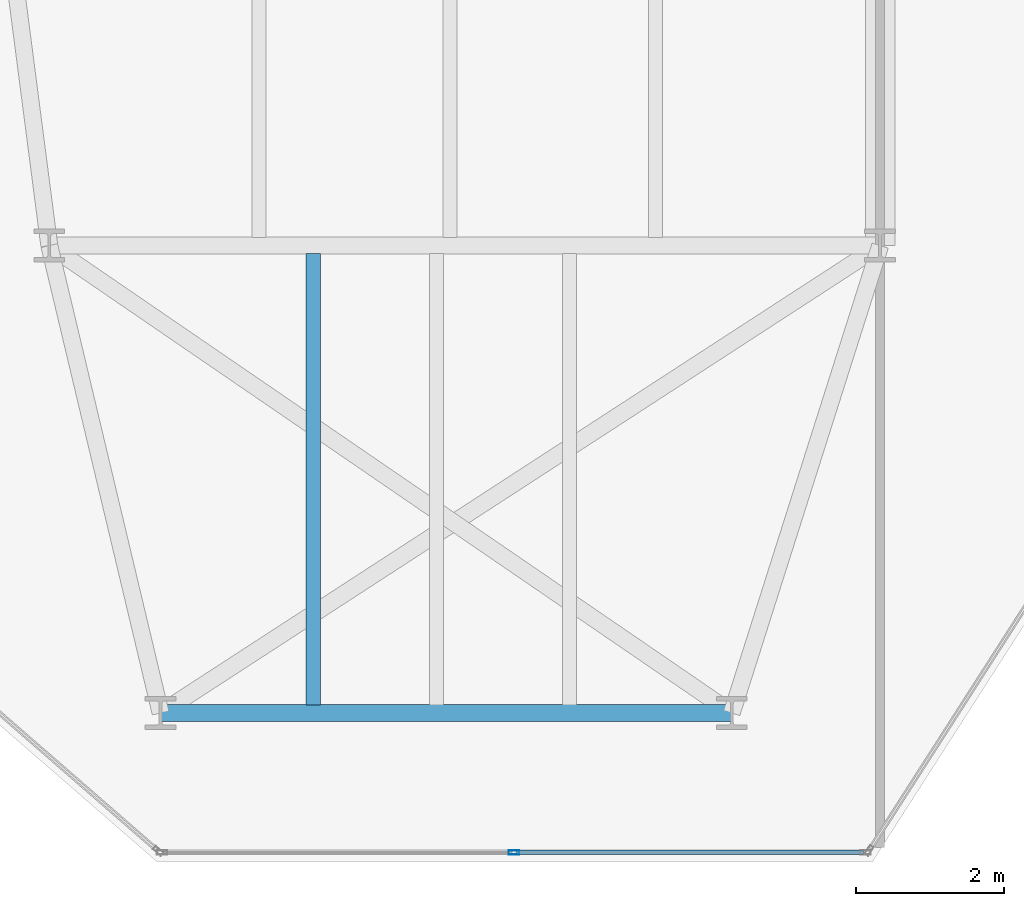
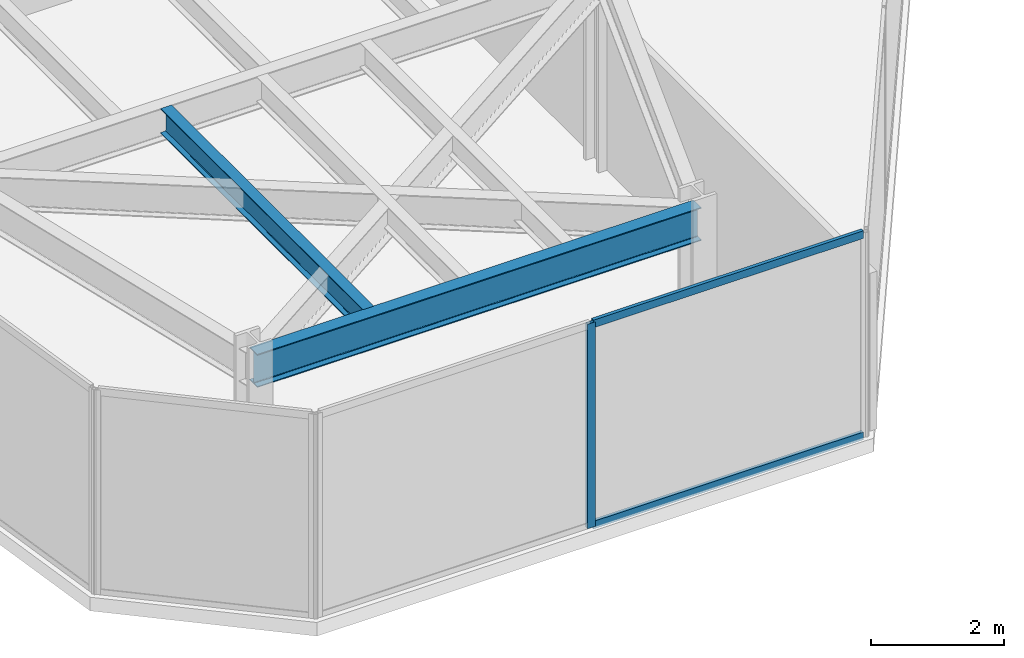
# One storey, part 3 of 26: 3 members, 2 beams, 1 element without a shape of its own.
"""IFC4 building model written with IfcOpenShell, lengths in metres."""

from ifc_helpers import new_model, si_unit, direction, frame, origin, origin_2d, place, context, subcontext, project, spatial, hollow_rectangle, i_section, extrude, material, layer, layer_set, material_profile, profile_set, type_object, element, aggregate, save


model = new_model("IFC4")

# Units and contexts
model_context = context("Model", 3, precision=1e-05, world=origin(), true_north=direction((0.0, 1.0)))
body_context = subcontext(model_context, "Body", "Model", "MODEL_VIEW")
ifc_project = project(units=[si_unit("LENGTHUNIT", "METRE"), si_unit("AREAUNIT", "SQUARE_METRE"), si_unit("VOLUMEUNIT", "CUBIC_METRE"), si_unit("PLANEANGLEUNIT", "RADIAN"), si_unit("MASSUNIT", "GRAM", prefix="KILO")], contexts=[model_context])

# Site, building, storey
site_placement = place(None, origin())
site = spatial("IfcSite", under=ifc_project, at=site_placement, CompositionType="ELEMENT")
building_placement = place(site_placement, origin())
building = spatial("IfcBuilding", under=site, at=building_placement, Name="Kravanh Interchange Tower", CompositionType="ELEMENT")
storey_placement = place(building_placement, frame((0.0, 0.0, 148.0)))
storey = spatial("IfcBuildingStorey", under=building, at=storey_placement, Name="L35", CompositionType="ELEMENT", Elevation=148.0)

# Curtain wall, members
ifc_material_1 = material(Name="Anodised Bronze Aluminium", Category="aluminium")
ifc_layer = layer(ifc_material_1, 0.179931640625)
ifc_layer_set = layer_set([ifc_layer], Name="Unitised Curtain Wall System CW-Z2 Mid Office")
curtain_wall_type = type_object("IfcCurtainWallType", Name="Unitised Curtain Wall System CW-Z2 Mid Office", PredefinedType="NOTDEFINED", material=ifc_layer_set)
curtain_wall_placement = place(storey_placement, origin())
curtain_wall = element("IfcCurtainWall", 1, at=curtain_wall_placement, inside=storey, type_object=curtain_wall_type, Name="L35 Unitised Curtain Wall CW-L35-06", PredefinedType="NOTDEFINED")
ifc_material_2 = material(Name="Anodised Bronze Aluminium", Category="aluminium")
ifc_material_profile_1 = material_profile(ifc_material_2, hollow_rectangle(XDim=0.06005859375, YDim=0.139892578125, WallThickness=0.00390625, at=origin_2d()), Name="ALU60X140X4")
ifc_profile_set_1 = profile_set([ifc_material_profile_1], Name="Anodised Bronze Aluminium")
member_type_1 = type_object("IfcMemberType", Name="Curtain Wall Mullion ALU60X140X4 Bronze", PredefinedType="MULLION", material=ifc_profile_set_1)
member_1_placement = place(storey_placement, frame((22.26220703125, 6.320068359375, 0.0), z_axis=(0.0, 0.0, 1.0), x_axis=(0.0, -1.0, 0.0)))
member_1 = element("IfcMember", 2, at=member_1_placement, type_object=member_type_1, Name="CW-Z2 mullion 2", PredefinedType="MULLION", context=body_context, shape_type="SweptSolid", body=[
    extrude(hollow_rectangle(XDim=0.06005859375, YDim=0.139892578125, WallThickness=0.00390625, at=origin_2d()), origin(), (0.0, 0.0, 1.0), 3.75),
])
ifc_material_3 = material(Name="Anodised Bronze Aluminium", Category="aluminium")
ifc_material_profile_2 = material_profile(ifc_material_3, hollow_rectangle(XDim=0.06005859375, YDim=0.139892578125, WallThickness=0.00390625, at=origin_2d()), Name="ALU60X140X4")
ifc_profile_set_2 = profile_set([ifc_material_profile_2], Name="Anodised Bronze Aluminium")
member_type_2 = type_object("IfcMemberType", Name="Curtain Wall Transom ALU60X140X4 Bronze", PredefinedType="USERDEFINED", material=ifc_profile_set_2)
member_2_placement = place(storey_placement, frame((26.974365234375, 6.320068359375, 0.030029296875), z_axis=(-1.0, 0.0, 0.0), x_axis=(0.0, -1.0, 0.0)))
member_2 = element("IfcMember", 3, at=member_2_placement, type_object=member_type_2, Name="CW-Z2 transom 1.1", ObjectType="TRANSOM", PredefinedType="USERDEFINED", context=body_context, shape_type="SweptSolid", body=[
    extrude(hollow_rectangle(XDim=0.06005859375, YDim=0.139892578125, WallThickness=0.00390625, at=origin_2d()), origin(), (0.0, 0.0, 1.0), 4.682373046875),
])
member_3_placement = place(storey_placement, frame((26.974365234375, 6.320068359375, 3.719970703125), z_axis=(-1.0, 0.0, 0.0), x_axis=(0.0, -1.0, 0.0)))
member_3 = element("IfcMember", 4, at=member_3_placement, type_object=member_type_2, Name="CW-Z2 transom 1.2", ObjectType="TRANSOM", PredefinedType="USERDEFINED", context=body_context, shape_type="SweptSolid", body=[
    extrude(hollow_rectangle(XDim=0.06005859375, YDim=0.139892578125, WallThickness=0.00390625, at=origin_2d()), origin(), (0.0, 0.0, 1.0), 4.682373046875),
])
aggregate(curtain_wall, [member_1, member_2, member_3])

# Beams
ifc_material_4 = material(Name="Structural Steel S355", Category="steel")
ifc_material_profile_3 = material_profile(ifc_material_4, i_section(OverallWidth=0.18994140625, OverallDepth=0.45703125, WebThickness=0.009033203125, FlangeThickness=0.014404296875, FilletRadius=0.01806640625, at=origin_2d()), Name="W18X50")
ifc_profile_set_3 = profile_set([ifc_material_profile_3], Name="Structural Steel S355")
beam_type_1 = type_object("IfcBeamType", Name="Floor Joist W18X50 Structural Steel S355", PredefinedType="JOIST", material=ifc_profile_set_3)
beam_1_placement = place(storey_placement, frame((19.55810546875, 8.30908203125, 3.521484375), z_axis=(0.0, 1.0, 0.0), x_axis=(-1.0, 0.0, 0.0)))
element("IfcBeam", 5, at=beam_1_placement, inside=storey, type_object=beam_type_1, Name="L35 Secondary Floor Joist 1", PredefinedType="JOIST", context=body_context, shape_type="SweptSolid", body=[
    extrude(i_section(OverallWidth=0.18994140625, OverallDepth=0.45703125, WebThickness=0.009033203125, FlangeThickness=0.014404296875, FilletRadius=0.01806640625, at=origin_2d()), origin(), (0.0, 0.0, 1.0), 6.08203125),
])
ifc_material_5 = material(Name="Structural Steel S355", Category="steel")
ifc_material_profile_4 = material_profile(ifc_material_5, i_section(OverallWidth=0.22802734375, OverallDepth=0.60791015625, WebThickness=0.01123046875, FlangeThickness=0.017333984375, FilletRadius=0.02197265625, at=origin_2d()), Name="W24X76")
ifc_profile_set_4 = profile_set([ifc_material_profile_4], Name="Structural Steel S355")
beam_type_2 = type_object("IfcBeamType", Name="Floor Spandrel W24X76 Structural Steel S355", PredefinedType="SPANDREL", material=ifc_profile_set_4)
beam_2_placement = place(storey_placement, frame((17.5, 8.199951171875, 3.446044921875), z_axis=(1.0, 0.0, 0.0), x_axis=(0.0, 1.0, 0.0)))
element("IfcBeam", 6, at=beam_2_placement, inside=storey, type_object=beam_type_2, Name="L35 Perimeter Spandrel 35", PredefinedType="SPANDREL", context=body_context, shape_type="SweptSolid", body=[
    extrude(i_section(OverallWidth=0.22802734375, OverallDepth=0.60791015625, WebThickness=0.01123046875, FlangeThickness=0.017333984375, FilletRadius=0.02197265625, at=origin_2d()), origin(), (0.0, 0.0, 1.0), 7.699951171875),
])

save(model, "model.ifc")
